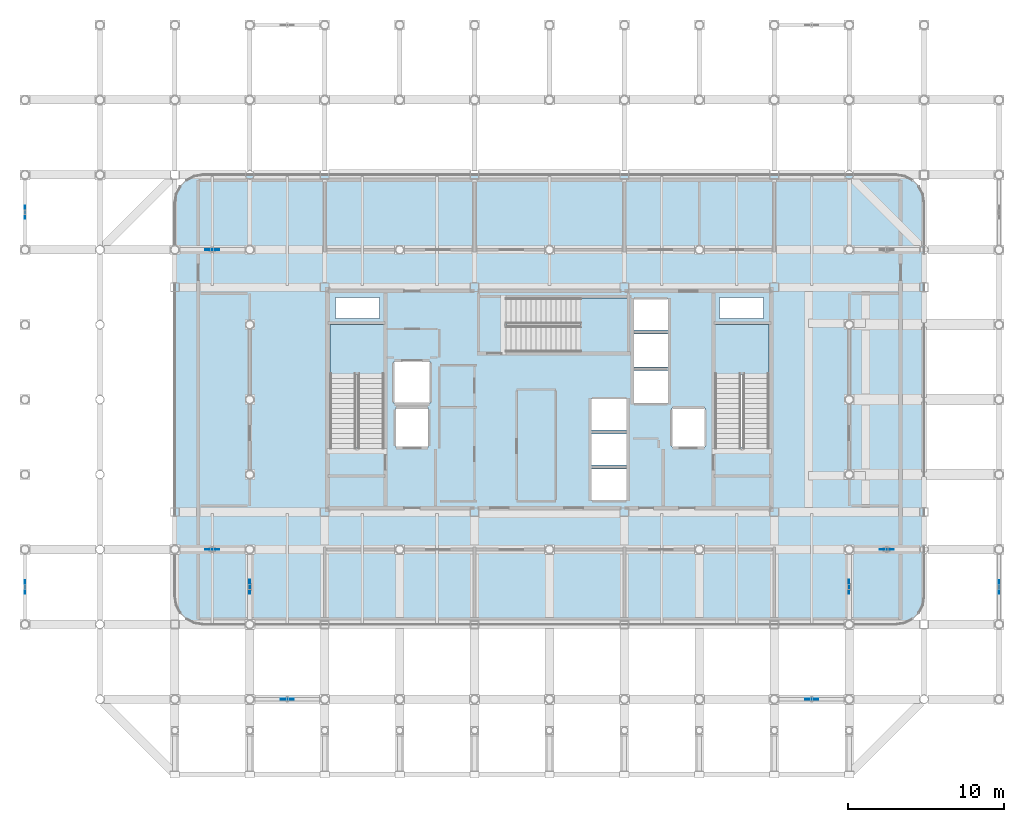
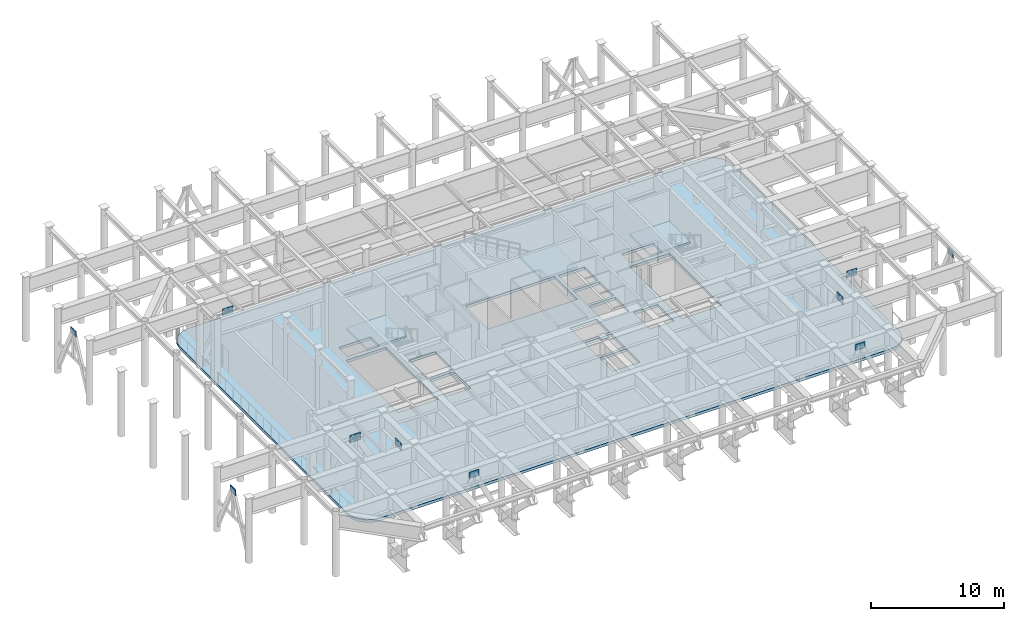
# One storey, part 11 of 20: 10 plates, 4 slabs, 3 elements without a shape of their own.
"""IFC4 building model written with IfcOpenShell, lengths in metres."""

from ifc_helpers import new_model, si_unit, direction, frame, origin, origin_2d, place, context, subcontext, project, spatial, polyline, rectangle, outline, extrude, material, layer, layer_set, type_object, element, aggregate, save


model = new_model("IFC4")

# Units and contexts
model_context = context("Model", 3, precision=1e-05, world=origin(), true_north=direction((0.0, 1.0)))
body_context = subcontext(model_context, "Body", "Model", "MODEL_VIEW")
ifc_project = project(units=[si_unit("LENGTHUNIT", "METRE"), si_unit("AREAUNIT", "SQUARE_METRE"), si_unit("VOLUMEUNIT", "CUBIC_METRE"), si_unit("PLANEANGLEUNIT", "RADIAN"), si_unit("MASSUNIT", "GRAM", prefix="KILO")], contexts=[model_context])

# Site, building, storey
site_placement = place(None, origin())
site = spatial("IfcSite", under=ifc_project, at=site_placement, CompositionType="ELEMENT")
building_placement = place(site_placement, origin())
building = spatial("IfcBuilding", under=site, at=building_placement, Name="Kallvorn Hotel Tower", CompositionType="ELEMENT")
storey_placement = place(building_placement, frame((0.0, 0.0, 276.199951171875)))
storey = spatial("IfcBuildingStorey", under=building, at=storey_placement, Name="L69", CompositionType="ELEMENT", Elevation=276.199951171875)

# Plates
ifc_material_1 = material(Name="Structural steel S355JR", Category="steel")
ifc_layer_1 = layer(ifc_material_1, 0.0400390625)
ifc_layer_set_1 = layer_set([ifc_layer_1], Name="PLT_GUSSET_40")
plate_type = type_object("IfcPlateType", Name="PLT_GUSSET_40", PredefinedType="USERDEFINED", material=ifc_layer_set_1)
for number, where, z_axis, x_axis, name in (
    (1, (-21.60009765625, -9.60009765625, 3.97509765625), (0.0, 0.0, 1.0), (1.0, 0.0, 0.0), "L69 Outrigger Node Gusset Plate OTW1"),
    (2, (21.60009765625, -9.60009765625, 3.97509765625), (0.0, 0.0, 1.0), (1.0, 0.0, 0.0), "L69 Outrigger Node Gusset Plate OTE1"),
    (3, (-21.60009765625, 9.60009765625, 3.97509765625), (0.0, 0.0, 1.0), (1.0, 0.0, 0.0), "L69 Outrigger Node Gusset Plate OTW2"),
    (4, (-19.199951171875, -12.0, 3.97509765625), (0.0, 0.0, 1.0), (0.0, 1.0, 0.0), "L69 Outrigger Node Gusset Plate OTS1"),
    (5, (19.199951171875, -12.0, 3.97509765625), (0.0, 0.0, 1.0), (0.0, 1.0, 0.0), "L69 Outrigger Node Gusset Plate OTS2"),
):
    element("IfcPlate", number, at=place(storey_placement, frame(where, z_axis=z_axis, x_axis=x_axis)), inside=storey, type_object=plate_type, Name=name, ObjectType="GUSSET PLATE", PredefinedType="USERDEFINED", context=body_context, shape_type="SweptSolid", body=[
        extrude(rectangle(XDim=0.89990234375, YDim=0.0400390625, at=origin_2d()), origin(), (0.0, 0.0, 1.0), 0.64990234375),
    ])
for number, where, z_axis, x_axis, name in (
    (6, (-16.800048828125, -19.199951171875, 4.8251953125), (0.0, 0.0, 1.0), (1.0, 0.0, 0.0), "L69 Belt Truss Gusset Plate 1"),
    (7, (16.800048828125, -19.199951171875, 4.8251953125), (0.0, 0.0, 1.0), (1.0, 0.0, 0.0), "L69 Belt Truss Gusset Plate 2"),
    (8, (-33.60009765625, -12.0, 4.8251953125), (0.0, 0.0, 1.0), (0.0, 1.0, 0.0), "L69 Belt Truss Gusset Plate 5"),
    (9, (-33.60009765625, 12.0, 4.8251953125), (0.0, 0.0, 1.0), (0.0, 1.0, 0.0), "L69 Belt Truss Gusset Plate 6"),
    (10, (28.800048828125, -12.0, 4.8251953125), (0.0, 0.0, 1.0), (0.0, 1.0, 0.0), "L69 Belt Truss Gusset Plate 7"),
):
    element("IfcPlate", number, at=place(storey_placement, frame(where, z_axis=z_axis, x_axis=x_axis)), inside=storey, type_object=plate_type, Name=name, ObjectType="GUSSET PLATE", PredefinedType="USERDEFINED", context=body_context, shape_type="SweptSolid", body=[
        extrude(rectangle(XDim=0.85009765625, YDim=0.0400390625, at=origin_2d()), origin(), (0.0, 0.0, 1.0), 0.550048828125),
    ])

# Stair, slab
ifc_material_2 = material(Name="Precast concrete C40/50", Category="concrete")
stair_type = type_object("IfcStairType", Name="STR_CORE_DOGLEG", PredefinedType="HALF_TURN_STAIR", material=ifc_material_2)
stair_1_placement = place(storey_placement, origin())
stair_1 = element("IfcStair", 11, at=stair_1_placement, inside=storey, type_object=stair_type, Name="L69 Exit stair ST1", PredefinedType="HALF_TURN_STAIR")
ifc_material_3 = material(Name="Precast concrete C40/50", Category="concrete")
ifc_layer_2 = layer(ifc_material_3, 0.179931640625)
ifc_layer_set_2 = layer_set([ifc_layer_2], Name="SLB_LANDING_180")
slab_type_1 = type_object("IfcSlabType", Name="SLB_LANDING_180", PredefinedType="LANDING", material=ifc_layer_set_2)
slab_1_placement = place(storey_placement, frame((0.0, 0.0, 2.800048828125)))
slab_1 = element("IfcSlab", 12, at=slab_1_placement, type_object=slab_type_1, Name="ST1 landing 1", PredefinedType="LANDING", context=body_context, shape_type="SweptSolid", body=[
    extrude(outline(polyline([(-10.60009765625, 1.610107421875), (-10.60009765625, 4.800048828125), (-14.06005859375, 4.800048828125), (-14.06005859375, 1.610107421875), (-10.60009765625, 1.610107421875)])), origin(), (0.0, 0.0, 1.0), 0.199951171875),
])
aggregate(stair_1, [slab_1])

stair_2_placement = place(storey_placement, origin())
stair_2 = element("IfcStair", 13, at=stair_2_placement, inside=storey, type_object=stair_type, Name="L69 Exit stair ST2", PredefinedType="HALF_TURN_STAIR")
slab_2_placement = place(storey_placement, frame((0.0, 0.0, 2.800048828125)))
slab_2 = element("IfcSlab", 14, at=slab_2_placement, type_object=slab_type_1, Name="ST2 landing 1", PredefinedType="LANDING", context=body_context, shape_type="SweptSolid", body=[
    extrude(outline(polyline([(14.06005859375, 1.610107421875), (14.06005859375, 4.800048828125), (10.60009765625, 4.800048828125), (10.60009765625, 1.610107421875), (14.06005859375, 1.610107421875)])), origin(), (0.0, 0.0, 1.0), 0.199951171875),
])
aggregate(stair_2, [slab_2])

stair_3_placement = place(storey_placement, origin())
stair_3 = element("IfcStair", 15, at=stair_3_placement, inside=storey, type_object=stair_type, Name="L69 Exit stair ST3", PredefinedType="HALF_TURN_STAIR")
slab_3_placement = place(storey_placement, frame((0.0, 0.0, 2.800048828125)))
slab_3 = element("IfcSlab", 16, at=slab_3_placement, type_object=slab_type_1, Name="ST3 landing 1", PredefinedType="LANDING", context=body_context, shape_type="SweptSolid", body=[
    extrude(outline(polyline([(1.9599609375, 3.050048828125), (5.050048828125, 3.050048828125), (5.050048828125, 6.510009765625), (1.9599609375, 6.510009765625), (1.9599609375, 3.050048828125)])), origin(), (0.0, 0.0, 1.0), 0.199951171875),
])
aggregate(stair_3, [slab_3])

# Slab
ifc_material_4 = material(Name="Concrete C40/50", Category="concrete")
ifc_layer_3 = layer(ifc_material_4, 0.25)
ifc_layer_set_3 = layer_set([ifc_layer_3], Name="SLB_WIND_250")
slab_type_2 = type_object("IfcSlabType", Name="SLB_WIND_250", PredefinedType="FLOOR", material=ifc_layer_set_3)
slab_4_placement = place(storey_placement, frame((0.0, 0.0, -0.25)))
element("IfcSlab", 17, at=slab_4_placement, inside=storey, type_object=slab_type_2, Name="L69 Structural Floor Slab", PredefinedType="FLOOR", context=body_context, shape_type="SweptSolid", body=[
    extrude(outline(polyline([(22.199951171875, -14.39990234375), (22.756103515625, -14.31201171875), (23.258056640625, -14.05615234375), (23.65625, -13.657958984375), (23.911865234375, -13.15625), (24.0, -12.60009765625), (24.0, 12.60009765625), (23.911865234375, 13.15625), (23.65625, 13.657958984375), (23.258056640625, 14.05615234375), (22.756103515625, 14.31201171875), (22.199951171875, 14.39990234375), (-22.199951171875, 14.39990234375), (-22.756103515625, 14.31201171875), (-23.258056640625, 14.05615234375), (-23.65625, 13.657958984375), (-23.911865234375, 13.15625), (-24.0, 12.60009765625), (-24.0, -12.60009765625), (-23.911865234375, -13.15625), (-23.65625, -13.657958984375), (-23.258056640625, -14.05615234375), (-22.756103515625, -14.31201171875), (-22.199951171875, -14.39990234375), (22.199951171875, -14.39990234375)]), holes=[polyline([(-10.60009765625, -3.070068359375), (-10.60009765625, 4.800048828125), (-14.06005859375, 4.800048828125), (-14.06005859375, -3.070068359375), (-10.60009765625, -3.070068359375)]), polyline([(14.06005859375, -3.070068359375), (14.06005859375, 4.800048828125), (10.60009765625, 4.800048828125), (10.60009765625, -3.070068359375), (14.06005859375, -3.070068359375)]), polyline([(-2.719970703125, 3.050048828125), (5.050048828125, 3.050048828125), (5.050048828125, 6.510009765625), (-2.719970703125, 6.510009765625), (-2.719970703125, 3.050048828125)]), polyline([(2.64990234375, -6.449951171875), (5.0, -6.449951171875), (5.0, -4.449951171875), (2.64990234375, -4.449951171875), (2.64990234375, -6.449951171875)]), polyline([(2.64990234375, -4.199951171875), (5.0, -4.199951171875), (5.0, -2.199951171875), (2.64990234375, -2.199951171875), (2.64990234375, -4.199951171875)]), polyline([(2.64990234375, -1.949951171875), (5.0, -1.949951171875), (5.0, 0.050048828125), (2.64990234375, 0.050048828125), (2.64990234375, -1.949951171875)]), polyline([(5.35009765625, -0.25), (7.64990234375, -0.25), (7.64990234375, 1.85009765625), (5.35009765625, 1.85009765625), (5.35009765625, -0.25)]), polyline([(5.35009765625, 2.10009765625), (7.64990234375, 2.10009765625), (7.64990234375, 4.199951171875), (5.35009765625, 4.199951171875), (5.35009765625, 2.10009765625)]), polyline([(5.35009765625, 4.449951171875), (7.64990234375, 4.449951171875), (7.64990234375, 6.449951171875), (5.35009765625, 6.449951171875), (5.35009765625, 4.449951171875)]), polyline([(-9.85009765625, -3.050048828125), (-7.75, -3.050048828125), (-7.75, -0.550048828125), (-9.85009765625, -0.550048828125), (-9.85009765625, -3.050048828125)]), polyline([(7.85009765625, -3.050048828125), (9.949951171875, -3.050048828125), (9.949951171875, -0.550048828125), (7.85009765625, -0.550048828125), (7.85009765625, -3.050048828125)]), polyline([(-9.949951171875, -0.25), (-7.64990234375, -0.25), (-7.64990234375, 2.449951171875), (-9.949951171875, 2.449951171875), (-9.949951171875, -0.25)]), polyline([(-13.699951171875, 5.199951171875), (-10.89990234375, 5.199951171875), (-10.89990234375, 6.550048828125), (-13.699951171875, 6.550048828125), (-13.699951171875, 5.199951171875)]), polyline([(10.89990234375, 5.199951171875), (13.699951171875, 5.199951171875), (13.699951171875, 6.550048828125), (10.89990234375, 6.550048828125), (10.89990234375, 5.199951171875)])]), origin(), (0.0, 0.0, 1.0), 0.25),
])

save(model, "model.ifc")
